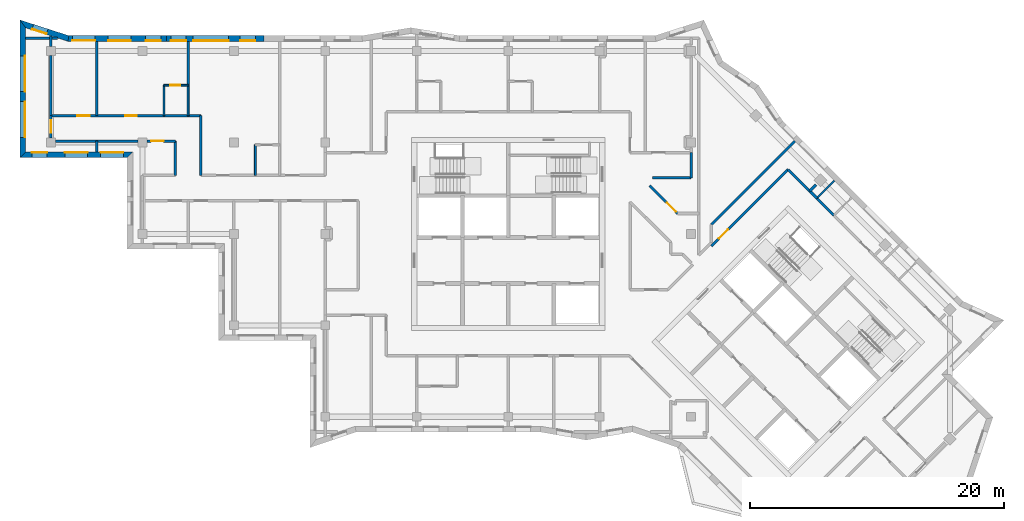
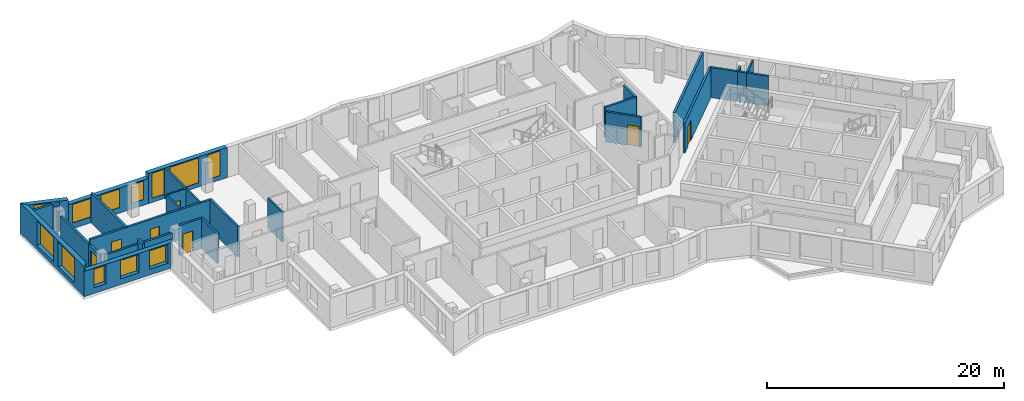
# One storey, part 5 of 11: 31 walls, 12 windows, 7 doors, 19 openings.
"""IFC4 building model written with IfcOpenShell, lengths in metres."""

from ifc_helpers import new_model, si_unit, direction, frame, frame_2d, origin, place, context, subcontext, project, spatial, polyline, rectangle, outline, extrude, material, layer, layer_set, type_object, element, fill, save


model = new_model("IFC4")

# Units and contexts
model_context = context("Model", 3, precision=1e-05, world=origin(), true_north=direction((0.0, 1.0)))
body_context = subcontext(model_context, "Body", "Model", "MODEL_VIEW")
ifc_project = project(units=[si_unit("LENGTHUNIT", "METRE"), si_unit("AREAUNIT", "SQUARE_METRE"), si_unit("VOLUMEUNIT", "CUBIC_METRE"), si_unit("PLANEANGLEUNIT", "RADIAN"), si_unit("MASSUNIT", "GRAM", prefix="KILO")], contexts=[model_context])

# Site, building, storey
site_placement = place(None, origin())
site = spatial("IfcSite", under=ifc_project, at=site_placement, CompositionType="ELEMENT")
building_placement = place(site_placement, origin())
building = spatial("IfcBuilding", under=site, at=building_placement, Name="Windrow Commons", CompositionType="ELEMENT")
storey_placement = place(building_placement, frame((0.0, 0.0, 281.2)))
storey = spatial("IfcBuildingStorey", under=building, at=storey_placement, Name="L77", CompositionType="ELEMENT", Elevation=281.2)

# Wall, openings, windows
ifc_material_1 = material(Name="Brick masonry, red clay brick", Category="masonry")
ifc_layer_1 = layer(ifc_material_1, 0.45)
ifc_layer_set_1 = layer_set([ifc_layer_1], Name="Brick facade wall 450")
wall_type_1 = type_object("IfcWallType", Name="Brick facade wall 450", PredefinedType="SOLIDWALL", material=ifc_layer_set_1)
wall_1_placement = place(storey_placement, frame((45.5944, 72.975, 0.0), z_axis=(0.0, 0.0, 1.0), x_axis=(-1.0, 0.0, 0.0)))
wall_1 = element("IfcWall", 1, at=wall_1_placement, inside=storey, type_object=wall_type_1, Name="Brick facade wall L77 19", PredefinedType="SOLIDWALL", context=body_context, shape_type="SweptSolid", body=[
    extrude(outline(polyline([(0.0, -0.225), (7.6909, -0.225), (7.6909, 0.225), (0.0, 0.225), (0.0, -0.225)])), origin(), (0.0, 0.0, 1.0), 3.1),
])
opening_1_placement = place(wall_1_placement, frame((2.7944, 0.0, 0.45)))
opening_1 = element("IfcOpeningElement", 2, at=opening_1_placement, cuts=wall_1, Name="Opening W1V", PredefinedType="OPENING", context=body_context, shape_type="SweptSolid", body=[
    extrude(rectangle(XDim=2.8, YDim=2.55, at=frame_2d((1.4, 1.275))), frame((0.0, 0.235, 0.0), z_axis=(0.0, -1.0, 0.0), x_axis=(1.0, 0.0, 0.0)), (0.0, 0.0, 1.0), 0.47),
])
opening_2_placement = place(wall_1_placement, frame((0.6972, 0.0, 0.45)))
opening_2 = element("IfcOpeningElement", 3, at=opening_2_placement, cuts=wall_1, Name="Opening W7F", PredefinedType="OPENING", context=body_context, shape_type="SweptSolid", body=[
    extrude(rectangle(XDim=1.2, YDim=2.55, at=frame_2d((0.6, 1.275))), frame((0.0, 0.235, 0.0), z_axis=(0.0, -1.0, 0.0), x_axis=(1.0, 0.0, 0.0)), (0.0, 0.0, 1.0), 0.47),
])
opening_3_placement = place(wall_1_placement, frame((6.1426, 0.0, 0.45)))
opening_3 = element("IfcOpeningElement", 4, at=opening_3_placement, cuts=wall_1, Name="Opening W7F", PredefinedType="OPENING", context=body_context, shape_type="SweptSolid", body=[
    extrude(rectangle(XDim=1.2, YDim=2.55, at=frame_2d((0.6, 1.275))), frame((0.0, 0.235, 0.0), z_axis=(0.0, -1.0, 0.0), x_axis=(1.0, 0.0, 0.0)), (0.0, 0.0, 1.0), 0.47),
])
ifc_material_2 = material(Name="Clear float glass in anodised aluminium frame", Category="aluminium")
window_type_1 = type_object("IfcWindowType", Name="Window W1V bedroom 2800x2550", PartitioningType="SINGLE_PANEL", PredefinedType="WINDOW", material=ifc_material_2)
window_1_placement = place(opening_1_placement, origin())
window_1 = element("IfcWindow", 5, at=window_1_placement, inside=storey, type_object=window_type_1, Name="Window L77 19.1", OverallHeight=2.55, OverallWidth=2.8, PartitioningType="SINGLE_PANEL", PredefinedType="WINDOW", context=body_context, shape_type="SweptSolid", body=[
    extrude(rectangle(XDim=2.8, YDim=2.55, at=frame_2d((1.4, 1.275))), frame((0.0, 0.205, 0.0), z_axis=(0.0, -1.0, 0.0), x_axis=(1.0, 0.0, 0.0)), (0.0, 0.0, 1.0), 0.06),
])
fill(opening_1, window_1)
ifc_material_3 = material(Name="Clear float glass in anodised aluminium frame", Category="aluminium")
window_type_2 = type_object("IfcWindowType", Name="Window W7 notch 1200x2550", PartitioningType="SINGLE_PANEL", PredefinedType="WINDOW", material=ifc_material_3)
window_2_placement = place(opening_2_placement, origin())
window_2 = element("IfcWindow", 6, at=window_2_placement, inside=storey, type_object=window_type_2, Name="Window L77 19.2", OverallHeight=2.55, OverallWidth=1.2, PartitioningType="SINGLE_PANEL", PredefinedType="WINDOW", context=body_context, shape_type="SweptSolid", body=[
    extrude(rectangle(XDim=1.2, YDim=2.55, at=frame_2d((0.6, 1.275))), frame((0.0, 0.205, 0.0), z_axis=(0.0, -1.0, 0.0), x_axis=(1.0, 0.0, 0.0)), (0.0, 0.0, 1.0), 0.06),
])
fill(opening_2, window_2)
window_3_placement = place(opening_3_placement, origin())
window_3 = element("IfcWindow", 7, at=window_3_placement, inside=storey, type_object=window_type_2, Name="Window L77 19.3", OverallHeight=2.55, OverallWidth=1.2, PartitioningType="SINGLE_PANEL", PredefinedType="WINDOW", context=body_context, shape_type="SweptSolid", body=[
    extrude(rectangle(XDim=1.2, YDim=2.55, at=frame_2d((0.6, 1.275))), frame((0.0, 0.205, 0.0), z_axis=(0.0, -1.0, 0.0), x_axis=(1.0, 0.0, 0.0)), (0.0, 0.0, 1.0), 0.06),
])
fill(opening_3, window_3)

wall_2_placement = place(storey_placement, frame((37.9034, 72.975, 0.0), z_axis=(0.0, 0.0, 1.0), x_axis=(-1.0, 0.0, 0.0)))
wall_2 = element("IfcWall", 8, at=wall_2_placement, inside=storey, type_object=wall_type_1, Name="Brick facade wall L77 20", PredefinedType="SOLIDWALL", context=body_context, shape_type="SweptSolid", body=[
    extrude(outline(polyline([(0.0, -0.225), (7.6909, -0.225), (7.7613, 0.225), (0.0, 0.225), (0.0, -0.225)])), origin(), (0.0, 0.0, 1.0), 2.6),
])
opening_4_placement = place(wall_2_placement, frame((2.8034, 0.0, 0.6)))
opening_4 = element("IfcOpeningElement", 9, at=opening_4_placement, cuts=wall_2, Name="Opening W1L", PredefinedType="OPENING", context=body_context, shape_type="SweptSolid", body=[
    extrude(rectangle(XDim=1.8, YDim=1.9, at=frame_2d((0.9, 0.95))), frame((0.0, 0.235, 0.0), z_axis=(0.0, -1.0, 0.0), x_axis=(1.0, 0.0, 0.0)), (0.0, 0.0, 1.0), 0.47),
])
opening_5_placement = place(wall_2_placement, frame((5.6148, 0.0, 0.6)))
opening_5 = element("IfcOpeningElement", 10, at=opening_5_placement, cuts=wall_2, Name="Opening W1L", PredefinedType="OPENING", context=body_context, shape_type="SweptSolid", body=[
    extrude(rectangle(XDim=1.8, YDim=1.9, at=frame_2d((0.9, 0.95))), frame((0.0, 0.235, 0.0), z_axis=(0.0, -1.0, 0.0), x_axis=(1.0, 0.0, 0.0)), (0.0, 0.0, 1.0), 0.47),
])
opening_6_placement = place(wall_2_placement, frame((0.4517, 0.0, 0.6)))
opening_6 = element("IfcOpeningElement", 11, at=opening_6_placement, cuts=wall_2, Name="Opening W7G", PredefinedType="OPENING", context=body_context, shape_type="SweptSolid", body=[
    extrude(rectangle(XDim=1.2, YDim=1.9, at=frame_2d((0.6, 0.95))), frame((0.0, 0.235, 0.0), z_axis=(0.0, -1.0, 0.0), x_axis=(1.0, 0.0, 0.0)), (0.0, 0.0, 1.0), 0.47),
])
ifc_material_4 = material(Name="Clear float glass in anodised aluminium frame", Category="aluminium")
window_type_3 = type_object("IfcWindowType", Name="Window W1L bedroom 1800x1900", PartitioningType="SINGLE_PANEL", PredefinedType="WINDOW", material=ifc_material_4)
window_4_placement = place(opening_4_placement, origin())
window_4 = element("IfcWindow", 12, at=window_4_placement, inside=storey, type_object=window_type_3, Name="Window L77 20.1", OverallHeight=1.9, OverallWidth=1.8, PartitioningType="SINGLE_PANEL", PredefinedType="WINDOW", context=body_context, shape_type="SweptSolid", body=[
    extrude(rectangle(XDim=1.8, YDim=1.9, at=frame_2d((0.9, 0.95))), frame((0.0, 0.205, 0.0), z_axis=(0.0, -1.0, 0.0), x_axis=(1.0, 0.0, 0.0)), (0.0, 0.0, 1.0), 0.06),
])
fill(opening_4, window_4)
window_5_placement = place(opening_5_placement, origin())
window_5 = element("IfcWindow", 13, at=window_5_placement, inside=storey, type_object=window_type_3, Name="Window L77 20.2", OverallHeight=1.9, OverallWidth=1.8, PartitioningType="SINGLE_PANEL", PredefinedType="WINDOW", context=body_context, shape_type="SweptSolid", body=[
    extrude(rectangle(XDim=1.8, YDim=1.9, at=frame_2d((0.9, 0.95))), frame((0.0, 0.195, 0.0), z_axis=(0.0, -1.0, 0.0), x_axis=(1.0, 0.0, 0.0)), (0.0, 0.0, 1.0), 0.06),
])
fill(opening_5, window_5)
ifc_material_5 = material(Name="Clear float glass in anodised aluminium frame", Category="aluminium")
window_type_4 = type_object("IfcWindowType", Name="Window W7 notch 1200x1900", PartitioningType="SINGLE_PANEL", PredefinedType="WINDOW", material=ifc_material_5)
window_6_placement = place(opening_6_placement, origin())
window_6 = element("IfcWindow", 14, at=window_6_placement, inside=storey, type_object=window_type_4, Name="Window L77 20.3", OverallHeight=1.9, OverallWidth=1.2, PartitioningType="SINGLE_PANEL", PredefinedType="WINDOW", context=body_context, shape_type="SweptSolid", body=[
    extrude(rectangle(XDim=1.2, YDim=1.9, at=frame_2d((0.6, 0.95))), frame((0.0, 0.205, 0.0), z_axis=(0.0, -1.0, 0.0), x_axis=(1.0, 0.0, 0.0)), (0.0, 0.0, 1.0), 0.06),
])
fill(opening_6, window_6)

# Wall, opening, window
wall_3_placement = place(storey_placement, frame((30.1773, 72.975, 0.0), z_axis=(0.0, 0.0, 1.0), x_axis=(-0.9522463551, 0.30533077, 0.0)))
wall_3 = element("IfcWall", 15, at=wall_3_placement, inside=storey, type_object=wall_type_1, Name="Brick facade wall L77 21", PredefinedType="SOLIDWALL", context=body_context, shape_type="SweptSolid", body=[
    extrude(outline(polyline([(0.0352, -0.225), (4.0735, -0.225), (3.4566, 0.225), (-0.0352, 0.225), (0.0352, -0.225)])), origin(), (0.0, 0.0, 1.0), 3.1),
])
opening_7_placement = place(wall_3_placement, frame((1.7515, 0.0, 0.45)))
opening_7 = element("IfcOpeningElement", 16, at=opening_7_placement, cuts=wall_3, Name="Opening W7F", PredefinedType="OPENING", context=body_context, shape_type="SweptSolid", body=[
    extrude(rectangle(XDim=1.2, YDim=2.55, at=frame_2d((0.6, 1.275))), frame((0.0, 0.235, 0.0), z_axis=(0.0, -1.0, 0.0), x_axis=(1.0, 0.0, 0.0)), (0.0, 0.0, 1.0), 0.47),
])
window_7_placement = place(opening_7_placement, origin())
window_7 = element("IfcWindow", 17, at=window_7_placement, inside=storey, type_object=window_type_2, Name="Window L77 21.1", OverallHeight=2.55, OverallWidth=1.2, PartitioningType="SINGLE_PANEL", PredefinedType="WINDOW", context=body_context, shape_type="SweptSolid", body=[
    extrude(rectangle(XDim=1.2, YDim=2.55, at=frame_2d((0.6, 1.275))), frame((0.0, 0.205, 0.0), z_axis=(0.0, -1.0, 0.0), x_axis=(1.0, 0.0, 0.0)), (0.0, 0.0, 1.0), 0.06),
])
fill(opening_7, window_7)

# Wall, openings, windows
wall_4_placement = place(storey_placement, frame((26.592, 74.1246, 0.0), z_axis=(0.0, 0.0, 1.0), x_axis=(0.0, -1.0, 0.0)))
wall_4 = element("IfcWall", 18, at=wall_4_placement, inside=storey, type_object=wall_type_1, Name="Brick facade wall L77 22", PredefinedType="SOLIDWALL", context=body_context, shape_type="SweptSolid", body=[
    extrude(outline(polyline([(-0.3084, -0.225), (10.5246, -0.225), (10.0746, 0.225), (0.3084, 0.225), (-0.3084, -0.225)])), origin(), (0.0, 0.0, 1.0), 3.1),
])
opening_8_placement = place(wall_4_placement, frame((2.5246, 0.0, 0.45)))
opening_8 = element("IfcOpeningElement", 19, at=opening_8_placement, cuts=wall_4, Name="Opening W1V", PredefinedType="OPENING", context=body_context, shape_type="SweptSolid", body=[
    extrude(rectangle(XDim=2.8, YDim=2.55, at=frame_2d((1.4, 1.275))), frame((0.0, 0.235, 0.0), z_axis=(0.0, -1.0, 0.0), x_axis=(1.0, 0.0, 0.0)), (0.0, 0.0, 1.0), 0.47),
])
opening_9_placement = place(wall_4_placement, frame((6.1246, 0.0, 0.45)))
opening_9 = element("IfcOpeningElement", 20, at=opening_9_placement, cuts=wall_4, Name="Opening W1V", PredefinedType="OPENING", context=body_context, shape_type="SweptSolid", body=[
    extrude(rectangle(XDim=2.8, YDim=2.55, at=frame_2d((1.4, 1.275))), frame((0.0, 0.235, 0.0), z_axis=(0.0, -1.0, 0.0), x_axis=(1.0, 0.0, 0.0)), (0.0, 0.0, 1.0), 0.47),
])
window_8_placement = place(opening_8_placement, origin())
window_8 = element("IfcWindow", 21, at=window_8_placement, inside=storey, type_object=window_type_1, Name="Window L77 22.1", OverallHeight=2.55, OverallWidth=2.8, PartitioningType="SINGLE_PANEL", PredefinedType="WINDOW", context=body_context, shape_type="SweptSolid", body=[
    extrude(rectangle(XDim=2.8, YDim=2.55, at=frame_2d((1.4, 1.275))), frame((0.0, 0.205, 0.0), z_axis=(0.0, -1.0, 0.0), x_axis=(1.0, 0.0, 0.0)), (0.0, 0.0, 1.0), 0.06),
])
fill(opening_8, window_8)
window_9_placement = place(opening_9_placement, origin())
window_9 = element("IfcWindow", 22, at=window_9_placement, inside=storey, type_object=window_type_1, Name="Window L77 22.2", OverallHeight=2.55, OverallWidth=2.8, PartitioningType="SINGLE_PANEL", PredefinedType="WINDOW", context=body_context, shape_type="SweptSolid", body=[
    extrude(rectangle(XDim=2.8, YDim=2.55, at=frame_2d((1.4, 1.275))), frame((0.0, 0.205, 0.0), z_axis=(0.0, -1.0, 0.0), x_axis=(1.0, 0.0, 0.0)), (0.0, 0.0, 1.0), 0.06),
])
fill(opening_9, window_9)

wall_5_placement = place(storey_placement, frame((26.592, 63.825, 0.0), z_axis=(0.0, 0.0, 1.0), x_axis=(1.0, 0.0, 0.0)))
wall_5 = element("IfcWall", 23, at=wall_5_placement, inside=storey, type_object=wall_type_1, Name="Brick facade wall L77 23", PredefinedType="SOLIDWALL", context=body_context, shape_type="SweptSolid", body=[
    extrude(outline(polyline([(-0.225, -0.225), (8.208, -0.225), (8.658, 0.225), (0.225, 0.225), (-0.225, -0.225)])), origin(), (0.0, 0.0, 1.0), 2.6),
])
opening_10_placement = place(wall_5_placement, frame((3.308, 0.0, 0.6)))
opening_10 = element("IfcOpeningElement", 24, at=opening_10_placement, cuts=wall_5, Name="Opening W1L", PredefinedType="OPENING", context=body_context, shape_type="SweptSolid", body=[
    extrude(rectangle(XDim=1.8, YDim=1.9, at=frame_2d((0.9, 0.95))), frame((0.0, 0.235, 0.0), z_axis=(0.0, -1.0, 0.0), x_axis=(1.0, 0.0, 0.0)), (0.0, 0.0, 1.0), 0.47),
])
opening_11_placement = place(wall_5_placement, frame((6.1205, 0.0, 0.6)))
opening_11 = element("IfcOpeningElement", 25, at=opening_11_placement, cuts=wall_5, Name="Opening W1L", PredefinedType="OPENING", context=body_context, shape_type="SweptSolid", body=[
    extrude(rectangle(XDim=1.8, YDim=1.9, at=frame_2d((0.9, 0.95))), frame((0.0, 0.235, 0.0), z_axis=(0.0, -1.0, 0.0), x_axis=(1.0, 0.0, 0.0)), (0.0, 0.0, 1.0), 0.47),
])
opening_12_placement = place(wall_5_placement, frame((0.7165, 0.0, 0.6)))
opening_12 = element("IfcOpeningElement", 26, at=opening_12_placement, cuts=wall_5, Name="Opening W7G", PredefinedType="OPENING", context=body_context, shape_type="SweptSolid", body=[
    extrude(rectangle(XDim=1.2, YDim=1.9, at=frame_2d((0.6, 0.95))), frame((0.0, 0.235, 0.0), z_axis=(0.0, -1.0, 0.0), x_axis=(1.0, 0.0, 0.0)), (0.0, 0.0, 1.0), 0.47),
])
window_10_placement = place(opening_10_placement, origin())
window_10 = element("IfcWindow", 27, at=window_10_placement, inside=storey, type_object=window_type_3, Name="Window L77 23.1", OverallHeight=1.9, OverallWidth=1.8, PartitioningType="SINGLE_PANEL", PredefinedType="WINDOW", context=body_context, shape_type="SweptSolid", body=[
    extrude(rectangle(XDim=1.8, YDim=1.9, at=frame_2d((0.9, 0.95))), frame((0.0, 0.205, 0.0), z_axis=(0.0, -1.0, 0.0), x_axis=(1.0, 0.0, 0.0)), (0.0, 0.0, 1.0), 0.06),
])
fill(opening_10, window_10)
window_11_placement = place(opening_11_placement, origin())
window_11 = element("IfcWindow", 28, at=window_11_placement, inside=storey, type_object=window_type_3, Name="Window L77 23.2", OverallHeight=1.9, OverallWidth=1.8, PartitioningType="SINGLE_PANEL", PredefinedType="WINDOW", context=body_context, shape_type="SweptSolid", body=[
    extrude(rectangle(XDim=1.8, YDim=1.9, at=frame_2d((0.9, 0.95))), frame((0.0, 0.205, 0.0), z_axis=(0.0, -1.0, 0.0), x_axis=(1.0, 0.0, 0.0)), (0.0, 0.0, 1.0), 0.06),
])
fill(opening_11, window_11)
window_12_placement = place(opening_12_placement, origin())
window_12 = element("IfcWindow", 29, at=window_12_placement, inside=storey, type_object=window_type_4, Name="Window L77 23.3", OverallHeight=1.9, OverallWidth=1.2, PartitioningType="SINGLE_PANEL", PredefinedType="WINDOW", context=body_context, shape_type="SweptSolid", body=[
    extrude(rectangle(XDim=1.2, YDim=1.9, at=frame_2d((0.6, 0.95))), frame((0.0, 0.205, 0.0), z_axis=(0.0, -1.0, 0.0), x_axis=(1.0, 0.0, 0.0)), (0.0, 0.0, 1.0), 0.06),
])
fill(opening_12, window_12)

# Wall, openings, doors
ifc_material_6 = material(Name="Blockwork partition", Category="masonry")
ifc_layer_2 = layer(ifc_material_6, 0.2)
ifc_layer_set_2 = layer_set([ifc_layer_2], Name="IW-CORRIDOR-200")
wall_type_2 = type_object("IfcWallType", Name="IW-CORRIDOR-200", PredefinedType="PARTITIONING", material=ifc_layer_set_2)
wall_6_placement = place(storey_placement, frame((28.8, 66.9, 0.0), z_axis=(0.0, 0.0, 1.0), x_axis=(1.0, 0.0, 0.0)))
wall_6 = element("IfcWall", 30, at=wall_6_placement, inside=storey, type_object=wall_type_2, Name="W-L77-W004", PredefinedType="PARTITIONING", context=body_context, shape_type="SweptSolid", body=[
    extrude(rectangle(XDim=11.8, YDim=0.2, at=frame_2d((5.9, 0.0))), origin(), (0.0, 0.0, 1.0), 3.1),
])
opening_13_placement = place(wall_6_placement, frame((2.075, 0.0, 0.0)))
opening_13 = element("IfcOpeningElement", 31, at=opening_13_placement, cuts=wall_6, Name="Opening D310F", PredefinedType="OPENING", context=body_context, shape_type="SweptSolid", body=[
    extrude(rectangle(XDim=1.0, YDim=2.1, at=frame_2d((0.5, 1.05))), frame((0.0, 0.11, 0.0), z_axis=(0.0, -1.0, 0.0), x_axis=(1.0, 0.0, 0.0)), (0.0, 0.0, 1.0), 0.22),
])
opening_14_placement = place(wall_6_placement, frame((5.8566, 0.0, 0.0)))
opening_14 = element("IfcOpeningElement", 32, at=opening_14_placement, cuts=wall_6, Name="Opening D109F", PredefinedType="OPENING", context=body_context, shape_type="SweptSolid", body=[
    extrude(rectangle(XDim=0.9, YDim=2.1, at=frame_2d((0.45, 1.05))), frame((0.0, 0.11, 0.0), z_axis=(0.0, -1.0, 0.0), x_axis=(1.0, 0.0, 0.0)), (0.0, 0.0, 1.0), 0.22),
])
ifc_material_7 = material(Name="Timber door leaf", Category="wood")
door_type_1 = type_object("IfcDoorType", Name="DT-AMENITY-1000", OperationType="SINGLE_SWING_LEFT", PredefinedType="DOOR", material=ifc_material_7)
door_1_placement = place(opening_13_placement, origin())
door_1 = element("IfcDoor", 33, at=door_1_placement, inside=storey, type_object=door_type_1, Name="D-L77-D007", OperationType="SINGLE_SWING_RIGHT", OverallHeight=2.1, OverallWidth=1.0, PredefinedType="DOOR", context=body_context, shape_type="SweptSolid", body=[
    extrude(rectangle(XDim=1.0, YDim=2.1, at=frame_2d((0.5, 1.05))), frame((0.0, 0.025, 0.0), z_axis=(0.0, -1.0, 0.0), x_axis=(1.0, 0.0, 0.0)), (0.0, 0.0, 1.0), 0.05),
])
fill(opening_13, door_1)
ifc_material_8 = material(Name="Timber door leaf", Category="wood")
door_type_2 = type_object("IfcDoorType", Name="DT-BEDROOM-900", OperationType="SINGLE_SWING_LEFT", PredefinedType="DOOR", material=ifc_material_8)
door_2_placement = place(opening_14_placement, origin())
door_2 = element("IfcDoor", 34, at=door_2_placement, inside=storey, type_object=door_type_2, Name="D-L77-D008", OperationType="SINGLE_SWING_LEFT", OverallHeight=2.1, OverallWidth=0.9, PredefinedType="DOOR", context=body_context, shape_type="SweptSolid", body=[
    extrude(rectangle(XDim=0.9, YDim=2.1, at=frame_2d((0.45, 1.05))), frame((0.0, 0.025, 0.0), z_axis=(0.0, -1.0, 0.0), x_axis=(1.0, 0.0, 0.0)), (0.0, 0.0, 1.0), 0.05),
])
fill(opening_14, door_2)

# Wall, opening, door
wall_7_placement = place(storey_placement, frame((80.8015, 56.6325, 0.0), z_axis=(0.0, 0.0, 1.0), x_axis=(0.7071067812, 0.7071067812, 0.0)))
wall_7 = element("IfcWall", 35, at=wall_7_placement, inside=storey, type_object=wall_type_2, Name="W-L77-W015", PredefinedType="PARTITIONING", context=body_context, shape_type="SweptSolid", body=[
    extrude(rectangle(XDim=8.5334, YDim=0.2, at=frame_2d((4.2667, 0.0))), origin(), (0.0, 0.0, 1.0), 3.1),
])
opening_15_placement = place(wall_7_placement, frame((0.8526, 0.0, 0.0)))
opening_15 = element("IfcOpeningElement", 36, at=opening_15_placement, cuts=wall_7, Name="Opening D310F", PredefinedType="OPENING", context=body_context, shape_type="SweptSolid", body=[
    extrude(rectangle(XDim=1.0, YDim=2.1, at=frame_2d((0.5, 1.05))), frame((0.0, 0.11, 0.0), z_axis=(0.0, -1.0, 0.0), x_axis=(1.0, 0.0, 0.0)), (0.0, 0.0, 1.0), 0.22),
])
door_3_placement = place(opening_15_placement, origin())
door_3 = element("IfcDoor", 37, at=door_3_placement, inside=storey, type_object=door_type_1, Name="D-L77-D030", OperationType="SINGLE_SWING_RIGHT", OverallHeight=2.1, OverallWidth=1.0, PredefinedType="DOOR", context=body_context, shape_type="SweptSolid", body=[
    extrude(rectangle(XDim=1.0, YDim=2.1, at=frame_2d((0.5, 1.05))), frame((0.0, 0.025, 0.0), z_axis=(0.0, -1.0, 0.0), x_axis=(1.0, 0.0, 0.0)), (0.0, 0.0, 1.0), 0.05),
])
fill(opening_15, door_3)

# Walls
wall_8_placement = place(storey_placement, frame((29.15, 64.9, 0.0), z_axis=(0.0, 0.0, 1.0), x_axis=(1.0, 0.0, 0.0)))
element("IfcWall", 38, at=wall_8_placement, inside=storey, type_object=wall_type_2, Name="W-L77-W019", PredefinedType="PARTITIONING", context=body_context, shape_type="SweptSolid", body=[
    extrude(rectangle(XDim=6.5, YDim=0.2, at=frame_2d((3.25, 0.0))), origin(), (0.0, 0.0, 1.0), 2.6),
])
wall_9_placement = place(storey_placement, frame((40.6, 62.202, 0.0), z_axis=(0.0, 0.0, 1.0), x_axis=(0.0, 1.0, 0.0)))
element("IfcWall", 39, at=wall_9_placement, inside=storey, type_object=wall_type_2, Name="W-L77-W036", PredefinedType="PARTITIONING", context=body_context, shape_type="SweptSolid", body=[
    extrude(rectangle(XDim=4.696, YDim=0.2, at=frame_2d((2.348, 0.0))), origin(), (0.0, 0.0, 1.0), 3.1),
])

# Wall, opening, door
wall_10_placement = place(storey_placement, frame((75.9391, 61.3951, 0.0), z_axis=(0.0, 0.0, 1.0), x_axis=(0.7071067812, -0.7071067812, 0.0)))
wall_10 = element("IfcWall", 40, at=wall_10_placement, inside=storey, type_object=wall_type_2, Name="W-L77-W051", PredefinedType="PARTITIONING", context=body_context, shape_type="SweptSolid", body=[
    extrude(rectangle(XDim=3.1056, YDim=0.2, at=frame_2d((1.5528, 0.0))), origin(), (0.0, 0.0, 1.0), 3.1),
])
opening_16_placement = place(wall_10_placement, frame((1.9064, 0.0, 0.0)))
opening_16 = element("IfcOpeningElement", 41, at=opening_16_placement, cuts=wall_10, Name="Opening D410F", PredefinedType="OPENING", context=body_context, shape_type="SweptSolid", body=[
    extrude(rectangle(XDim=1.0, YDim=2.1, at=frame_2d((0.5, 1.05))), frame((0.0, 0.11, 0.0), z_axis=(0.0, -1.0, 0.0), x_axis=(1.0, 0.0, 0.0)), (0.0, 0.0, 1.0), 0.22),
])
ifc_material_9 = material(Name="Timber door leaf", Category="wood")
door_type_3 = type_object("IfcDoorType", Name="DT-SERVICE-1000", OperationType="SINGLE_SWING_LEFT", PredefinedType="DOOR", material=ifc_material_9)
door_4_placement = place(opening_16_placement, origin())
door_4 = element("IfcDoor", 42, at=door_4_placement, inside=storey, type_object=door_type_3, Name="D-L77-D029", OperationType="SINGLE_SWING_LEFT", OverallHeight=2.1, OverallWidth=1.0, PredefinedType="DOOR", context=body_context, shape_type="SweptSolid", body=[
    extrude(rectangle(XDim=1.0, YDim=2.1, at=frame_2d((0.5, 1.05))), frame((0.0, 0.025, 0.0), z_axis=(0.0, -1.0, 0.0), x_axis=(1.0, 0.0, 0.0)), (0.0, 0.0, 1.0), 0.05),
])
fill(opening_16, door_4)

# Walls
wall_11_placement = place(storey_placement, frame((76.15, 62.0, 0.0), z_axis=(0.0, 0.0, 1.0), x_axis=(1.0, 0.0, 0.0)))
element("IfcWall", 43, at=wall_11_placement, inside=storey, type_object=wall_type_2, Name="W-L77-W052", PredefinedType="PARTITIONING", context=body_context, shape_type="SweptSolid", body=[
    extrude(rectangle(XDim=3.05, YDim=0.2, at=frame_2d((1.525, 0.0))), origin(), (0.0, 0.0, 1.0), 3.1),
])
wall_12_placement = place(storey_placement, frame((38.6, 62.202, 0.0), z_axis=(0.0, 0.0, 1.0), x_axis=(0.0, 1.0, 0.0)))
element("IfcWall", 44, at=wall_12_placement, inside=storey, type_object=wall_type_2, Name="W-L77-W057", PredefinedType="PARTITIONING", context=body_context, shape_type="SweptSolid", body=[
    extrude(rectangle(XDim=2.698, YDim=0.2, at=frame_2d((1.349, 0.0))), origin(), (0.0, 0.0, 1.0), 3.1),
])
wall_13_placement = place(storey_placement, frame((86.8333, 62.6633, 0.0), z_axis=(0.0, 0.0, 1.0), x_axis=(0.7075233388, -0.706689978, 0.0)))
element("IfcWall", 45, at=wall_13_placement, inside=storey, type_object=wall_type_2, Name="W-L77-W075", PredefinedType="PARTITIONING", context=body_context, shape_type="SweptSolid", body=[
    extrude(rectangle(XDim=2.3999, YDim=0.2, at=frame_2d((1.2, 0.0))), origin(), (0.0, 0.0, 1.0), 3.1),
])

# Wall, opening, door
wall_14_placement = place(storey_placement, frame((36.35, 64.9, 0.0), z_axis=(0.0, 0.0, 1.0), x_axis=(1.0, 0.0, 0.0)))
wall_14 = element("IfcWall", 46, at=wall_14_placement, inside=storey, type_object=wall_type_2, Name="W-L77-W076", PredefinedType="PARTITIONING", context=body_context, shape_type="SweptSolid", body=[
    extrude(rectangle(XDim=2.25, YDim=0.2, at=frame_2d((1.125, 0.0))), origin(), (0.0, 0.0, 1.0), 3.1),
])
opening_17_placement = place(wall_14_placement, frame((0.3325, 0.0, 0.0)))
opening_17 = element("IfcOpeningElement", 47, at=opening_17_placement, cuts=wall_14, Name="Opening D310F", PredefinedType="OPENING", context=body_context, shape_type="SweptSolid", body=[
    extrude(rectangle(XDim=1.0, YDim=2.1, at=frame_2d((0.5, 1.05))), frame((0.0, 0.11, 0.0), z_axis=(0.0, -1.0, 0.0), x_axis=(1.0, 0.0, 0.0)), (0.0, 0.0, 1.0), 0.22),
])
door_5_placement = place(opening_17_placement, origin())
door_5 = element("IfcDoor", 48, at=door_5_placement, inside=storey, type_object=door_type_1, Name="D-L77-D014", OperationType="SINGLE_SWING_RIGHT", OverallHeight=2.1, OverallWidth=1.0, PredefinedType="DOOR", context=body_context, shape_type="SweptSolid", body=[
    extrude(rectangle(XDim=1.0, YDim=2.1, at=frame_2d((0.5, 1.05))), frame((0.0, 0.025, 0.0), z_axis=(0.0, -1.0, 0.0), x_axis=(1.0, 0.0, 0.0)), (0.0, 0.0, 1.0), 0.05),
])
fill(opening_17, door_5)

# Walls
wall_15_placement = place(storey_placement, frame((79.2, 62.0, 0.0), z_axis=(0.0, 0.0, 1.0), x_axis=(0.0, 1.0, 0.0)))
element("IfcWall", 49, at=wall_15_placement, inside=storey, type_object=wall_type_2, Name="W-L77-W088", PredefinedType="PARTITIONING", context=body_context, shape_type="SweptSolid", body=[
    extrude(rectangle(XDim=2.0, YDim=0.2, at=frame_2d((1.0, 0.0))), origin(), (0.0, 0.0, 1.0), 3.1),
])
wall_16_placement = place(storey_placement, frame((89.0997, 60.4037, 0.0), z_axis=(0.0, 0.0, 1.0), x_axis=(0.7065800724, -0.7076330979, 0.0)))
element("IfcWall", 50, at=wall_16_placement, inside=storey, type_object=wall_type_2, Name="W-L77-W098", PredefinedType="PARTITIONING", context=body_context, shape_type="SweptSolid", body=[
    extrude(rectangle(XDim=1.8993, YDim=0.2, at=frame_2d((0.9496, 0.0))), origin(), (0.0, 0.0, 1.0), 3.1),
])

# Wall, opening, door
wall_17_placement = place(storey_placement, frame((28.8, 65.15, 0.0), z_axis=(0.0, 0.0, 1.0), x_axis=(0.0, 1.0, 0.0)))
wall_17 = element("IfcWall", 51, at=wall_17_placement, inside=storey, type_object=wall_type_2, Name="W-L77-W101", PredefinedType="PARTITIONING", context=body_context, shape_type="SweptSolid", body=[
    extrude(rectangle(XDim=1.75, YDim=0.2, at=frame_2d((0.875, 0.0))), origin(), (0.0, 0.0, 1.0), 2.6),
])
opening_18_placement = place(wall_17_placement, frame((0.4069, 0.0, 0.0)))
opening_18 = element("IfcOpeningElement", 52, at=opening_18_placement, cuts=wall_17, Name="Opening D310F", PredefinedType="OPENING", context=body_context, shape_type="SweptSolid", body=[
    extrude(rectangle(XDim=1.0, YDim=2.1, at=frame_2d((0.5, 1.05))), frame((0.0, 0.11, 0.0), z_axis=(0.0, -1.0, 0.0), x_axis=(1.0, 0.0, 0.0)), (0.0, 0.0, 1.0), 0.22),
])
door_6_placement = place(opening_18_placement, origin())
door_6 = element("IfcDoor", 53, at=door_6_placement, inside=storey, type_object=door_type_1, Name="D-L77-D002", OperationType="SINGLE_SWING_LEFT", OverallHeight=2.1, OverallWidth=1.0, PredefinedType="DOOR", context=body_context, shape_type="SweptSolid", body=[
    extrude(rectangle(XDim=1.0, YDim=2.1, at=frame_2d((0.5, 1.05))), frame((0.0, 0.025, 0.0), z_axis=(0.0, -1.0, 0.0), x_axis=(1.0, 0.0, 0.0)), (0.0, 0.0, 1.0), 0.05),
])
fill(opening_18, door_6)

# Walls
wall_18_placement = place(storey_placement, frame((88.5373, 60.9733, 0.0), z_axis=(0.0, 0.0, 1.0), x_axis=(0.7071067812, -0.7071067812, 0.0)))
element("IfcWall", 54, at=wall_18_placement, inside=storey, type_object=wall_type_2, Name="W-L77-W118", PredefinedType="PARTITIONING", context=body_context, shape_type="SweptSolid", body=[
    extrude(rectangle(XDim=0.8004, YDim=0.2, at=frame_2d((0.4002, 0.0))), origin(), (0.0, 0.0, 1.0), 3.1),
])
ifc_material_10 = material(Name="Blockwork partition", Category="masonry")
ifc_layer_3 = layer(ifc_material_10, 0.15)
ifc_layer_set_3 = layer_set([ifc_layer_3], Name="IW-ENSUITE-150")
wall_type_3 = type_object("IfcWallType", Name="IW-ENSUITE-150", PredefinedType="PARTITIONING", material=ifc_layer_set_3)
for number, where, z_axis, x_axis, name in (
    (55, (37.7, 66.9, 0.0), (0.0, 0.0, 1.0), (0.0, 1.0, 0.0), "W-L77-W067"),
    (56, (39.6, 66.9, 0.0), (0.0, 0.0, 1.0), (0.0, 1.0, 0.0), "W-L77-W068"),
    (57, (44.9, 62.2, 0.0), (0.0, 0.0, 1.0), (0.0, 1.0, 0.0), "W-L77-W069"),
):
    element("IfcWall", number, at=place(storey_placement, frame(where, z_axis=z_axis, x_axis=x_axis)), inside=storey, type_object=wall_type_3, Name=name, PredefinedType="PARTITIONING", context=body_context, shape_type="SweptSolid", body=[
        extrude(rectangle(XDim=2.4, YDim=0.15, at=frame_2d((1.2, 0.0))), origin(), (0.0, 0.0, 1.0), 3.1),
    ])

# Wall, opening, door
wall_19_placement = place(storey_placement, frame((37.7, 69.3, 0.0), z_axis=(0.0, 0.0, 1.0), x_axis=(1.0, 0.0, 0.0)))
wall_19 = element("IfcWall", 58, at=wall_19_placement, inside=storey, type_object=wall_type_3, Name="W-L77-W095", PredefinedType="PARTITIONING", context=body_context, shape_type="SweptSolid", body=[
    extrude(rectangle(XDim=1.9, YDim=0.15, at=frame_2d((0.95, 0.0))), origin(), (0.0, 0.0, 1.0), 3.1),
])
opening_19_placement = place(wall_19_placement, frame((0.4931, 0.0, 0.0)))
opening_19 = element("IfcOpeningElement", 59, at=opening_19_placement, cuts=wall_19, Name="Opening D208N", PredefinedType="OPENING", context=body_context, shape_type="SweptSolid", body=[
    extrude(rectangle(XDim=0.8, YDim=2.1, at=frame_2d((0.4, 1.05))), frame((0.0, 0.085, 0.0), z_axis=(0.0, -1.0, 0.0), x_axis=(1.0, 0.0, 0.0)), (0.0, 0.0, 1.0), 0.17),
])
ifc_material_11 = material(Name="Timber door leaf", Category="wood")
door_type_4 = type_object("IfcDoorType", Name="DT-ENSUITE-800", OperationType="SINGLE_SWING_LEFT", PredefinedType="DOOR", material=ifc_material_11)
door_7_placement = place(opening_19_placement, origin())
door_7 = element("IfcDoor", 60, at=door_7_placement, inside=storey, type_object=door_type_4, Name="D-L77-D009", OperationType="SINGLE_SWING_RIGHT", OverallHeight=2.1, OverallWidth=0.8, PredefinedType="DOOR", context=body_context, shape_type="SweptSolid", body=[
    extrude(rectangle(XDim=0.8, YDim=2.1, at=frame_2d((0.4, 1.05))), frame((0.0, 0.025, 0.0), z_axis=(0.0, -1.0, 0.0), x_axis=(1.0, 0.0, 0.0)), (0.0, 0.0, 1.0), 0.05),
])
fill(opening_19, door_7)

# Walls
wall_20_placement = place(storey_placement, frame((89.0992, 60.4048, 0.0), z_axis=(0.0, 0.0, 1.0), x_axis=(0.7070811302, 0.7071324312, 0.0)))
element("IfcWall", 61, at=wall_20_placement, inside=storey, type_object=wall_type_3, Name="W-L77-W099", PredefinedType="PARTITIONING", context=body_context, shape_type="SweptSolid", body=[
    extrude(rectangle(XDim=1.9493, YDim=0.15, at=frame_2d((0.9747, 0.0))), origin(), (0.0, 0.0, 1.0), 3.1),
])
ifc_material_12 = material(Name="Blockwork partition", Category="masonry")
ifc_layer_4 = layer(ifc_material_12, 0.2)
ifc_layer_set_4 = layer_set([ifc_layer_4], Name="IW-PARTY-200")
wall_type_4 = type_object("IfcWallType", Name="IW-PARTY-200", PredefinedType="PARTITIONING", material=ifc_layer_set_4)
wall_21_placement = place(storey_placement, frame((80.7989, 58.3271, 0.0), z_axis=(0.0, 0.0, 1.0), x_axis=(0.7071121647, 0.7071013977, 0.0)))
element("IfcWall", 62, at=wall_21_placement, inside=storey, type_object=wall_type_4, Name="W-L77-W008", PredefinedType="PARTITIONING", context=body_context, shape_type="SweptSolid", body=[
    extrude(rectangle(XDim=9.2876, YDim=0.2, at=frame_2d((4.6438, 0.0))), origin(), (0.0, 0.0, 1.0), 3.1),
])
wall_22_placement = place(storey_placement, frame((32.4, 66.9, 0.0), z_axis=(0.0, 0.0, 1.0), x_axis=(0.0, 1.0, 0.0)))
element("IfcWall", 63, at=wall_22_placement, inside=storey, type_object=wall_type_4, Name="W-L77-W025", PredefinedType="PARTITIONING", context=body_context, shape_type="SweptSolid", body=[
    extrude(rectangle(XDim=5.85, YDim=0.2, at=frame_2d((2.925, 0.0))), origin(), (0.0, 0.0, 1.0), 3.1),
])
wall_23_placement = place(storey_placement, frame((28.8, 66.9, 0.0), z_axis=(0.0, 0.0, 1.0), x_axis=(0.0, 1.0, 0.0)))
element("IfcWall", 64, at=wall_23_placement, inside=storey, type_object=wall_type_4, Name="W-L77-W035", PredefinedType="PARTITIONING", context=body_context, shape_type="SweptSolid", body=[
    extrude(rectangle(XDim=4.75, YDim=0.2, at=frame_2d((2.375, 0.0))), origin(), (0.0, 0.0, 1.0), 2.6),
])
wall_24_placement = place(storey_placement, frame((39.6, 69.3, 0.0), z_axis=(0.0, 0.0, 1.0), x_axis=(0.0, 1.0, 0.0)))
element("IfcWall", 65, at=wall_24_placement, inside=storey, type_object=wall_type_4, Name="W-L77-W043", PredefinedType="PARTITIONING", context=body_context, shape_type="SweptSolid", body=[
    extrude(rectangle(XDim=3.45, YDim=0.2, at=frame_2d((1.725, 0.0))), origin(), (0.0, 0.0, 1.0), 3.1),
])
wall_25_placement = place(storey_placement, frame((26.817, 73.0, 0.0), z_axis=(0.0, 0.0, 1.0), x_axis=(1.0, 0.0, 0.0)))
element("IfcWall", 66, at=wall_25_placement, inside=storey, type_object=wall_type_4, Name="W-L77-W064", PredefinedType="PARTITIONING", context=body_context, shape_type="SweptSolid", body=[
    extrude(rectangle(XDim=2.4954, YDim=0.2, at=frame_2d((1.2477, 0.0))), origin(), (0.0, 0.0, 1.0), 3.1),
])
wall_26_placement = place(storey_placement, frame((32.4, 64.05, 0.0), z_axis=(0.0, 0.0, 1.0), x_axis=(0.0, 1.0, 0.0)))
element("IfcWall", 67, at=wall_26_placement, inside=storey, type_object=wall_type_4, Name="W-L77-W119", PredefinedType="PARTITIONING", context=body_context, shape_type="SweptSolid", body=[
    extrude(rectangle(XDim=0.85, YDim=0.2, at=frame_2d((0.425, 0.0))), origin(), (0.0, 0.0, 1.0), 3.1),
])
wall_27_placement = place(storey_placement, frame((88.5335, 60.9705, 0.0), z_axis=(0.0, 0.0, 1.0), x_axis=(0.7071067812, 0.7071067812, 0.0)))
element("IfcWall", 68, at=wall_27_placement, inside=storey, type_object=wall_type_4, Name="W-L77-W123", PredefinedType="PARTITIONING", context=body_context, shape_type="SweptSolid", body=[
    extrude(rectangle(XDim=0.7043, YDim=0.2, at=frame_2d((0.3522, 0.0))), origin(), (0.0, 0.0, 1.0), 3.1),
])
wall_28_placement = place(storey_placement, frame((28.8, 72.35, 0.0), z_axis=(0.0, 0.0, 1.0), x_axis=(0.0, 1.0, 0.0)))
element("IfcWall", 69, at=wall_28_placement, inside=storey, type_object=wall_type_4, Name="W-L77-W124", PredefinedType="PARTITIONING", context=body_context, shape_type="SweptSolid", body=[
    extrude(rectangle(XDim=0.8303, YDim=0.2, at=frame_2d((0.4152, 0.0))), origin(), (0.0, 0.0, 1.0), 3.1),
])

save(model, "model.ifc")
